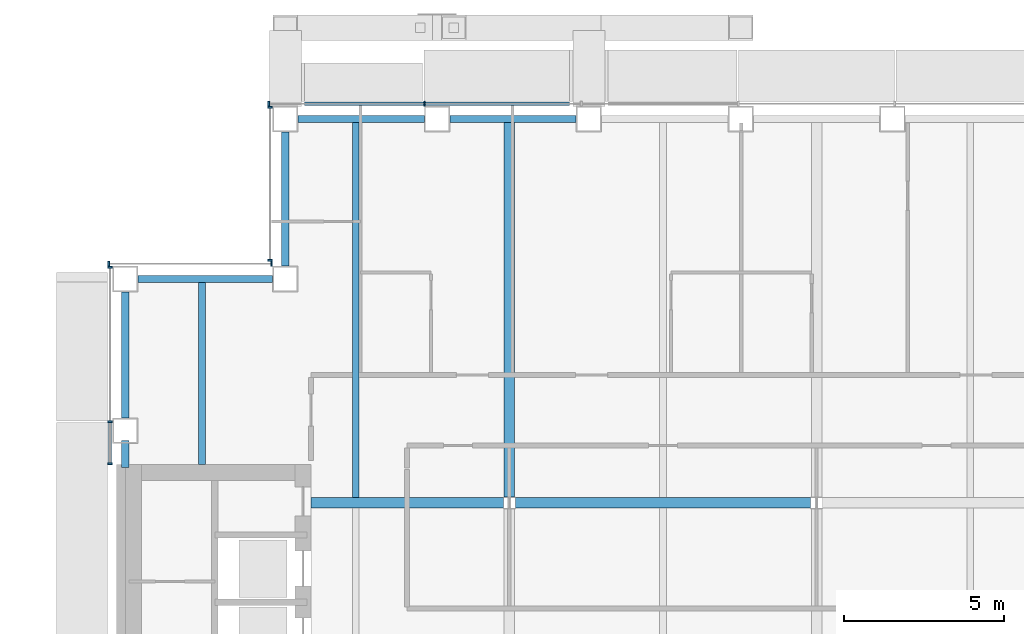
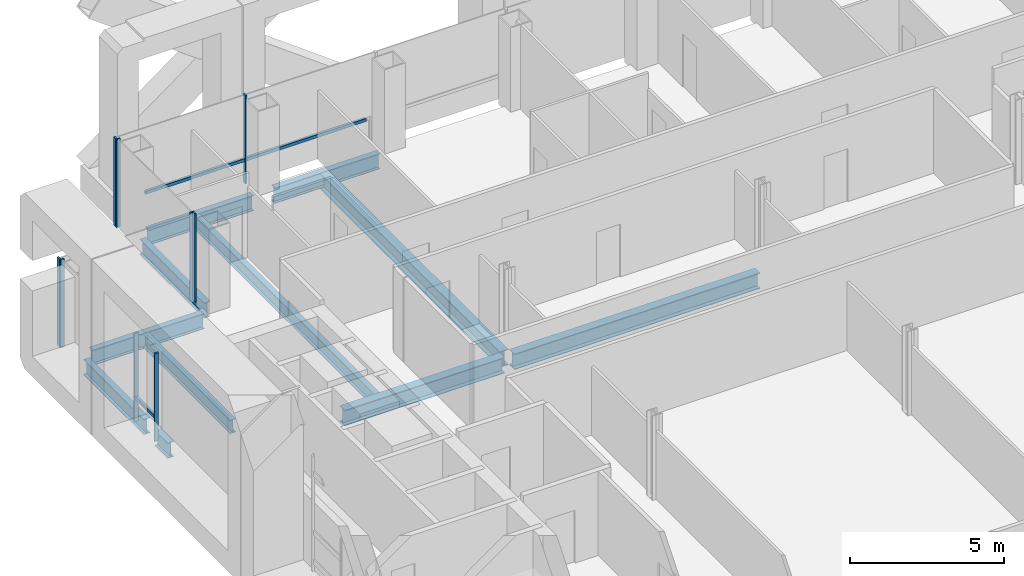
# One storey, part 8 of 22: 12 members, 11 beams, 4 elements without a shape of their own.
"""IFC4 building model written with IfcOpenShell, lengths in metres."""

import ifcopenshell
import ifcopenshell.guid

model = None  # the IFC model being written
_history = None  # IfcOwnerHistory: only IFC2X3 demands one
_inside = {}  # id of a spatial element -> (the spatial element, [elements in it])
_under = {}  # id of a project, library or spatial element -> (it, [spatial elements below it])
_declared = {}  # id of a project -> (the project, [libraries it declares])
_typed = {}  # id of a type object -> (the type object, [elements of that type])
_made_of = {}  # id of a material, layer set ... -> (it, [elements and type objects made of it])


def new_model(schema):
    """Start an empty IFC model of exactly this schema.

    Asked for "IFC4X3", IfcOpenShell would pick the latest addendum, in which some entities
    have other attributes; the version numbers below select the first issue.
    IFC2X3 requires an IfcOwnerHistory on every rooted entity: one is made here for all.
    """
    global model, _history
    if schema == "IFC4X3":
        model = ifcopenshell.file(schema_version=(4, 3, 0, 0))
    else:
        model = ifcopenshell.file(schema=schema)
    _inside.clear()
    _under.clear()
    _declared.clear()
    _typed.clear()
    _made_of.clear()
    _history = None
    if model.schema == "IFC2X3":
        org = make("IfcOrganization", Name="unknown")
        user = make(
            "IfcPersonAndOrganization",
            ThePerson=make("IfcPerson", FamilyName="unknown"),
            TheOrganization=org,
        )
        app = make(
            "IfcApplication",
            ApplicationDeveloper=org,
            Version="unknown",
            ApplicationFullName="unknown",
            ApplicationIdentifier="unknown",
        )
        _history = make(
            "IfcOwnerHistory",
            OwningUser=user,
            OwningApplication=app,
            ChangeAction="ADDED",
            CreationDate=0,
        )
    return model


def make(cls, **values):
    """One entity of the class cls with the attributes given. An attribute that is None is left unset."""
    return model.create_entity(
        cls, **{name: value for name, value in values.items() if value is not None}
    )


def rooted(cls, **values):
    """An entity with a GlobalId (a new one), such as an element, a storey or a relation."""
    return make(cls, GlobalId=ifcopenshell.guid.new(), OwnerHistory=_history, **values)


def si_unit(unit_type, name, prefix=None):
    """IfcSIUnit, for example si_unit("LENGTHUNIT", "METRE", prefix="MILLI")."""
    return make("IfcSIUnit", UnitType=unit_type, Prefix=prefix, Name=name)


def assignment(units):
    """IfcUnitAssignment: the units of a project."""
    return None if units is None else make("IfcUnitAssignment", Units=units)


def point(xyz):
    """IfcCartesianPoint."""
    return None if xyz is None else make("IfcCartesianPoint", Coordinates=xyz)


def direction(xyz):
    """IfcDirection."""
    return None if xyz is None else make("IfcDirection", DirectionRatios=xyz)


def frame(location, z_axis=None, x_axis=None):
    """IfcAxis2Placement3D, a coordinate frame: its origin and axes. An axis left out is left unset."""
    return make(
        "IfcAxis2Placement3D",
        Location=point(location),
        Axis=direction(z_axis),
        RefDirection=direction(x_axis),
    )


def frame_2d(location, x_axis=None):
    """IfcAxis2Placement2D, a coordinate frame in the plane: its origin and x axis."""
    return make(
        "IfcAxis2Placement2D", Location=point(location), RefDirection=direction(x_axis)
    )


def origin():
    """The frame at (0, 0, 0) with its axes left unset."""
    return frame((0.0, 0.0, 0.0))


def origin_2d():
    """The frame at (0, 0) in the plane with its x axis left unset."""
    return frame_2d((0.0, 0.0))


def place(relative_to, where):
    """IfcLocalPlacement: puts the frame where relative to a parent placement (None: the world)."""
    return make(
        "IfcLocalPlacement", PlacementRelTo=relative_to, RelativePlacement=where
    )


def context(
    kind, dimensions, precision=None, world=None, true_north=None, identifier=None
):
    """IfcGeometricRepresentationContext, for example the 3D "Model" context."""
    return make(
        "IfcGeometricRepresentationContext",
        ContextIdentifier=identifier,
        ContextType=kind,
        CoordinateSpaceDimension=dimensions,
        Precision=precision,
        WorldCoordinateSystem=world,
        TrueNorth=true_north,
    )


def subcontext(parent, identifier, kind, view, scale=None):
    """IfcGeometricRepresentationSubContext, for example "Body" below "Model"."""
    return make(
        "IfcGeometricRepresentationSubContext",
        ContextIdentifier=identifier,
        ContextType=kind,
        ParentContext=parent,
        TargetScale=scale,
        TargetView=view,
    )


def project(units=None, contexts=None):
    """IfcProject with its units and contexts."""
    return rooted(
        "IfcProject",
        Name="project",
        RepresentationContexts=contexts,
        UnitsInContext=assignment(units),
    )


def spatial(cls, under=None, at=None, **own):
    """A site, building, storey or space (cls), placed at a placement, below another one or the project."""
    s = rooted(cls, ObjectPlacement=at, **own)
    if under is not None:
        _under.setdefault(under.id(), (under, []))[1].append(s)
    return s


def profile(cls, at=None, kind="AREA", **sizes):
    """A parametric profile (cls). Its sizes go by their IFC names, for example OverallWidth=200.0."""
    return make(cls, ProfileType=kind, Position=at, **sizes)


def rectangle(**sizes):
    """IfcRectangleProfileDef."""
    return profile("IfcRectangleProfileDef", **sizes)


def i_section(**sizes):
    """IfcIShapeProfileDef."""
    return profile("IfcIShapeProfileDef", **sizes)


def extrude(swept, where, along, depth):
    """IfcExtrudedAreaSolid: the profile swept, set in the frame where, extruded along a direction by depth."""
    return make(
        "IfcExtrudedAreaSolid",
        SweptArea=swept,
        Position=where,
        ExtrudedDirection=direction(along),
        Depth=depth,
    )


def shape(context_of_items, identifier, shape_type, items):
    """IfcShapeRepresentation: the items that make up one representation, for example the "Body"."""
    return make(
        "IfcShapeRepresentation",
        ContextOfItems=context_of_items,
        RepresentationIdentifier=identifier,
        RepresentationType=shape_type,
        Items=items,
    )


def material(Name=None, Category=None):
    """IfcMaterial."""
    return make("IfcMaterial", Name=Name, Category=Category)


def material_profile(
    of_material, cross_section, Name=None, Category=None, Priority=None
):
    """IfcMaterialProfile: a cross section and its material."""
    return make(
        "IfcMaterialProfile",
        Name=Name,
        Material=of_material,
        Profile=cross_section,
        Priority=Priority,
        Category=Category,
    )


def profile_set(profiles, Name=None, composite=None):
    """IfcMaterialProfileSet."""
    return make(
        "IfcMaterialProfileSet",
        Name=Name,
        MaterialProfiles=profiles,
        CompositeProfile=composite,
    )


def made_of(thing, what):
    """Note that an element or type object is made of a material, layer set ...; save() writes the relation."""
    if what is not None:
        _made_of.setdefault(what.id(), (what, []))[1].append(thing)
    return thing


def type_object(cls, material=None, **own):
    """A type object (cls), such as IfcWallType, which elements share."""
    return made_of(rooted(cls, **own), material)


def element(
    cls,
    number,
    at=None,
    inside=None,
    cuts=None,
    type_object=None,
    material=None,
    context=None,
    identifier="Body",
    shape_type=None,
    held_by="IfcProductDefinitionShape",
    body=None,
    shapes=None,
    **own,
):
    """One element of the class cls, such as IfcWall. Its Tag is "e" and its number.

    at: its placement. inside: the storey or other place that contains it. cuts: it is an
    opening in that element (IfcRelVoidsElement). A single representation is given by context,
    identifier, shape_type and body (its items); several are given by shapes. held_by: the class
    of the entity that holds the representations. save() writes the other relations.
    """
    e = rooted(cls, Tag="e%d" % number, ObjectPlacement=at, **own)
    if body is not None:
        shapes = [shape(context, identifier, shape_type, body)]
    if shapes is not None:
        e.Representation = make(held_by, Representations=shapes)
    if inside is not None:
        _inside.setdefault(inside.id(), (inside, []))[1].append(e)
    if cuts is not None:
        rooted(
            "IfcRelVoidsElement", RelatingBuildingElement=cuts, RelatedOpeningElement=e
        )
    if type_object is not None:
        _typed.setdefault(type_object.id(), (type_object, []))[1].append(e)
    return made_of(e, material)


def aggregate(whole, parts):
    """IfcRelAggregates: a whole, such as a stair, and the parts it consists of."""
    return rooted("IfcRelAggregates", RelatingObject=whole, RelatedObjects=parts)


def save(model, path):
    """Write the relations noted so far, then the file.

    IfcRelAggregates (storeys below a building ...), IfcRelContainedInSpatialStructure (elements
    in a storey), IfcRelDefinesByType, IfcRelAssociatesMaterial and IfcRelDeclares: one each for
    every whole, place, type object, material and project.
    """
    for whole, parts in _under.values():
        aggregate(whole, parts)
    for where, things in _inside.values():
        rooted(
            "IfcRelContainedInSpatialStructure",
            RelatedElements=things,
            RelatingStructure=where,
        )
    for kind, things in _typed.values():
        rooted("IfcRelDefinesByType", RelatedObjects=things, RelatingType=kind)
    for what, things in _made_of.values():
        rooted("IfcRelAssociatesMaterial", RelatedObjects=things, RelatingMaterial=what)
    for by, libraries in _declared.values():
        rooted("IfcRelDeclares", RelatingContext=by, RelatedDefinitions=libraries)
    model.write(path)


model = new_model("IFC4")

# Units and contexts
model_context = context("Model", 3, precision=1e-05, world=origin(), true_north=direction((0.0, 1.0)))
body_context = subcontext(model_context, "Body", "Model", "MODEL_VIEW")
ifc_project = project(units=[si_unit("LENGTHUNIT", "METRE"), si_unit("AREAUNIT", "SQUARE_METRE"), si_unit("VOLUMEUNIT", "CUBIC_METRE"), si_unit("PLANEANGLEUNIT", "RADIAN"), si_unit("MASSUNIT", "GRAM", prefix="KILO")], contexts=[model_context])

# Site, building, storey
site_placement = place(None, origin())
site = spatial("IfcSite", under=ifc_project, at=site_placement, CompositionType="ELEMENT")
building_placement = place(site_placement, origin())
building = spatial("IfcBuilding", under=site, at=building_placement, Name="Cobrizo Arcos Hotel Tower", CompositionType="ELEMENT")
storey_placement = place(building_placement, frame((0.0, 0.0, 176.0)))
storey = spatial("IfcBuildingStorey", under=building, at=storey_placement, Name="L45", CompositionType="ELEMENT", Elevation=176.0)

# Curtain wall, members
ifc_material_1 = material(Name="Aluminium 6063-T6 anodised bronze", Category="aluminium")
curtain_wall_type = type_object("IfcCurtainWallType", Name="CW-A guest facade", PredefinedType="NOTDEFINED", material=ifc_material_1)
curtain_wall_1_placement = place(storey_placement, origin())
curtain_wall_1 = element("IfcCurtainWall", 1, at=curtain_wall_1_placement, inside=storey, type_object=curtain_wall_type, Name="CW-A L45 N face", PredefinedType="NOTDEFINED")
ifc_material_profile_1 = material_profile(ifc_material_1, rectangle(XDim=0.14990234375, YDim=0.06005859375, at=origin_2d()), Name="CW-A mullion 150x60")
ifc_profile_set_1 = profile_set([ifc_material_profile_1], Name="Aluminium 6063-T6 anodised bronze")
member_type_1 = type_object("IfcMemberType", Name="CW-A mullion 150x60", PredefinedType="MULLION", material=ifc_profile_set_1)
member_1_placement = place(storey_placement, frame((-12.25, 22.074951171875, 0.0), z_axis=(0.0, 0.0, 1.0), x_axis=(0.0, 1.0, 0.0)))
member_1 = element("IfcMember", 2, at=member_1_placement, type_object=member_type_1, Name="CW-A mullion 7", PredefinedType="MULLION", context=body_context, shape_type="SweptSolid", body=[
    extrude(rectangle(XDim=0.14990234375, YDim=0.06005859375, at=origin_2d()), origin(), (0.0, 0.0, 1.0), 3.5),
])
member_2_placement = place(storey_placement, frame((-17.1201171875, 22.074951171875, 0.0), z_axis=(0.0, 0.0, 1.0), x_axis=(0.0, 1.0, 0.0)))
member_2 = element("IfcMember", 3, at=member_2_placement, type_object=member_type_1, Name="CW-A mullion 8", PredefinedType="MULLION", context=body_context, shape_type="SweptSolid", body=[
    extrude(rectangle(XDim=0.14990234375, YDim=0.06005859375, at=origin_2d()), origin(), (0.0, 0.0, 1.0), 3.5),
])

curtain_wall_2_placement = place(storey_placement, origin())
curtain_wall_2 = element("IfcCurtainWall", 4, at=curtain_wall_2_placement, inside=storey, type_object=curtain_wall_type, Name="CW-A L45 W face", PredefinedType="NOTDEFINED")
member_3_placement = place(storey_placement, frame((-17.074951171875, 21.969970703125, 0.0), z_axis=(0.0, 0.0, 1.0), x_axis=(-1.0, 0.0, 0.0)))
member_3 = element("IfcMember", 5, at=member_3_placement, type_object=member_type_1, Name="CW-A mullion 1", PredefinedType="MULLION", context=body_context, shape_type="SweptSolid", body=[
    extrude(rectangle(XDim=0.14990234375, YDim=0.06005859375, at=origin_2d()), origin(), (0.0, 0.0, 1.0), 3.5),
])
member_4_placement = place(storey_placement, frame((-17.074951171875, 17.179931640625, 0.0), z_axis=(0.0, 0.0, 1.0), x_axis=(-1.0, 0.0, 0.0)))
member_4 = element("IfcMember", 6, at=member_4_placement, type_object=member_type_1, Name="CW-A mullion 2", PredefinedType="MULLION", context=body_context, shape_type="SweptSolid", body=[
    extrude(rectangle(XDim=0.14990234375, YDim=0.06005859375, at=origin_2d()), origin(), (0.0, 0.0, 1.0), 3.5),
])
aggregate(curtain_wall_2, [member_3, member_4])

curtain_wall_3_placement = place(storey_placement, origin())
curtain_wall_3 = element("IfcCurtainWall", 7, at=curtain_wall_3_placement, inside=storey, type_object=curtain_wall_type, Name="CW-A L45 N face", PredefinedType="NOTDEFINED")
member_5_placement = place(storey_placement, frame((-17.030029296875, 17.074951171875, 0.0), z_axis=(0.0, 0.0, 1.0), x_axis=(0.0, 1.0, 0.0)))
member_5 = element("IfcMember", 8, at=member_5_placement, type_object=member_type_1, Name="CW-A mullion 1", PredefinedType="MULLION", context=body_context, shape_type="SweptSolid", body=[
    extrude(rectangle(XDim=0.14990234375, YDim=0.06005859375, at=origin_2d()), origin(), (0.0, 0.0, 1.0), 3.5),
])
member_6_placement = place(storey_placement, frame((-22.1201171875, 17.074951171875, 0.0), z_axis=(0.0, 0.0, 1.0), x_axis=(0.0, 1.0, 0.0)))
member_6 = element("IfcMember", 9, at=member_6_placement, type_object=member_type_1, Name="CW-A mullion 2", PredefinedType="MULLION", context=body_context, shape_type="SweptSolid", body=[
    extrude(rectangle(XDim=0.14990234375, YDim=0.06005859375, at=origin_2d()), origin(), (0.0, 0.0, 1.0), 3.5),
])
aggregate(curtain_wall_3, [member_5, member_6])

curtain_wall_4_placement = place(storey_placement, origin())
curtain_wall_4 = element("IfcCurtainWall", 10, at=curtain_wall_4_placement, inside=storey, type_object=curtain_wall_type, Name="CW-A L45 W face", PredefinedType="NOTDEFINED")
member_7_placement = place(storey_placement, frame((-22.074951171875, 16.969970703125, 0.0), z_axis=(0.0, 0.0, 1.0), x_axis=(-1.0, 0.0, 0.0)))
member_7 = element("IfcMember", 11, at=member_7_placement, type_object=member_type_1, Name="CW-A mullion 1", PredefinedType="MULLION", context=body_context, shape_type="SweptSolid", body=[
    extrude(rectangle(XDim=0.14990234375, YDim=0.06005859375, at=origin_2d()), origin(), (0.0, 0.0, 1.0), 3.5),
])
member_8_placement = place(storey_placement, frame((-22.074951171875, 12.142822265625, 0.0), z_axis=(0.0, 0.0, 1.0), x_axis=(-1.0, 0.0, 0.0)))
member_8 = element("IfcMember", 12, at=member_8_placement, type_object=member_type_1, Name="CW-A mullion 2", PredefinedType="MULLION", context=body_context, shape_type="SweptSolid", body=[
    extrude(rectangle(XDim=0.14990234375, YDim=0.06005859375, at=origin_2d()), origin(), (0.0, 0.0, 1.0), 3.5),
])
member_9_placement = place(storey_placement, frame((-22.074951171875, 10.830078125, 0.0), z_axis=(0.0, 0.0, 1.0), x_axis=(-1.0, 0.0, 0.0)))
member_9 = element("IfcMember", 13, at=member_9_placement, type_object=member_type_1, Name="CW-A mullion 3", PredefinedType="MULLION", context=body_context, shape_type="SweptSolid", body=[
    extrude(rectangle(XDim=0.14990234375, YDim=0.06005859375, at=origin_2d()), origin(), (0.0, 0.0, 1.0), 3.5),
])

# Member
ifc_material_profile_2 = material_profile(ifc_material_1, rectangle(XDim=0.10009765625, YDim=0.1201171875, at=origin_2d()), Name="CW-A transom 120x100")
ifc_profile_set_2 = profile_set([ifc_material_profile_2], Name="Aluminium 6063-T6 anodised bronze")
member_type_2 = type_object("IfcMemberType", Name="CW-A transom 120x100", PredefinedType="USERDEFINED", material=ifc_profile_set_2)
member_10_placement = place(storey_placement, frame((-7.71435546875, 22.074951171875, 0.929931640625), z_axis=(-1.0, 0.0, 0.0), x_axis=(0.0, -1.0, 0.0)))
member_10 = element("IfcMember", 14, at=member_10_placement, type_object=member_type_2, Name="CW-A transom 1596", ObjectType="TRANSOM", PredefinedType="USERDEFINED", context=body_context, shape_type="SweptSolid", body=[
    extrude(rectangle(XDim=0.10009765625, YDim=0.1201171875, at=origin_2d()), origin(), (0.0, 0.0, 1.0), 4.505615234375),
])

member_11_placement = place(storey_placement, frame((-12.280029296875, 22.074951171875, 0.929931640625), z_axis=(-1.0, 0.0, 0.0), x_axis=(0.0, -1.0, 0.0)))
member_11 = element("IfcMember", 15, at=member_11_placement, type_object=member_type_2, Name="CW-A transom 1597", ObjectType="TRANSOM", PredefinedType="USERDEFINED", context=body_context, shape_type="SweptSolid", body=[
    extrude(rectangle(XDim=0.10009765625, YDim=0.1201171875, at=origin_2d()), origin(), (0.0, 0.0, 1.0), 3.719970703125),
])

aggregate(curtain_wall_1, [member_1, member_2, member_10, member_11])

member_12_placement = place(storey_placement, frame((-22.074951171875, 12.11279296875, 0.929931640625), z_axis=(0.0, -1.0, 0.0), x_axis=(1.0, 0.0, 0.0)))
member_12 = element("IfcMember", 16, at=member_12_placement, type_object=member_type_2, Name="CW-A transom 1601", ObjectType="TRANSOM", PredefinedType="USERDEFINED", context=body_context, shape_type="SweptSolid", body=[
    extrude(rectangle(XDim=0.10009765625, YDim=0.1201171875, at=origin_2d()), origin(), (0.0, 0.0, 1.0), 1.252685546875),
])

aggregate(curtain_wall_4, [member_7, member_8, member_9, member_12])

# Beams
ifc_material_2 = material(Name="Steel ASTM A992 Grade 50", Category="steel")
ifc_material_profile_3 = material_profile(ifc_material_2, i_section(OverallWidth=0.209228515625, OverallDepth=0.533447265625, WebThickness=0.01025390625, FlangeThickness=0.015625, at=origin_2d()), Name="W21X62")
ifc_profile_set_3 = profile_set([ifc_material_profile_3], Name="Steel ASTM A992 Grade 50")
beam_type_1 = type_object("IfcBeamType", Name="W21X62 joist", PredefinedType="JOIST", material=ifc_profile_set_3)
beam_1_placement = place(storey_placement, frame((-19.199951171875, 10.81005859375, -0.416748046875), z_axis=(0.0, 1.0, 0.0), x_axis=(-1.0, 0.0, 0.0)))
element("IfcBeam", 17, at=beam_1_placement, inside=storey, type_object=beam_type_1, Name="Floor joist J1, L45, no. 002", PredefinedType="JOIST", context=body_context, shape_type="SweptSolid", body=[
    extrude(i_section(OverallWidth=0.209228515625, OverallDepth=0.533447265625, WebThickness=0.01025390625, FlangeThickness=0.015625, at=origin_2d()), origin(), (0.0, 0.0, 1.0), 5.699951171875),
])
beam_2_placement = place(storey_placement, frame((-14.39990234375, 9.763916015625, -0.416748046875), z_axis=(0.0, 1.0, 0.0), x_axis=(-1.0, 0.0, 0.0)))
element("IfcBeam", 18, at=beam_2_placement, inside=storey, type_object=beam_type_1, Name="Floor joist J1, L45, no. 006", PredefinedType="JOIST", context=body_context, shape_type="SweptSolid", body=[
    extrude(i_section(OverallWidth=0.209228515625, OverallDepth=0.533447265625, WebThickness=0.01025390625, FlangeThickness=0.015625, at=origin_2d()), origin(), (0.0, 0.0, 1.0), 11.74609375),
])
ifc_material_profile_4 = material_profile(ifc_material_2, i_section(OverallWidth=0.32763671875, OverallDepth=0.622314453125, WebThickness=0.015380859375, FlangeThickness=0.0244140625, at=origin_2d()), Name="W24X131")
ifc_profile_set_4 = profile_set([ifc_material_profile_4], Name="Steel ASTM A992 Grade 50")
beam_type_2 = type_object("IfcBeamType", Name="W24X131 girder", PredefinedType="BEAM", material=ifc_profile_set_4)
beam_3_placement = place(storey_placement, frame((-15.7900390625, 9.60009765625, -0.461181640625), z_axis=(1.0, 0.0, 0.0), x_axis=(0.0, 1.0, 0.0)))
element("IfcBeam", 19, at=beam_3_placement, inside=storey, type_object=beam_type_2, Name="Floor girder G1, L45, no. 009", PredefinedType="BEAM", context=body_context, shape_type="SweptSolid", body=[
    extrude(i_section(OverallWidth=0.32763671875, OverallDepth=0.622314453125, WebThickness=0.015380859375, FlangeThickness=0.0244140625, at=origin_2d()), origin(), (0.0, 0.0, 1.0), 6.00341796875),
])
beam_4_placement = place(storey_placement, frame((-9.413330078125, 9.60009765625, -0.461181640625), z_axis=(1.0, 0.0, 0.0), x_axis=(0.0, 1.0, 0.0)))
element("IfcBeam", 20, at=beam_4_placement, inside=storey, type_object=beam_type_2, Name="Floor girder G1, L45, no. 010", PredefinedType="BEAM", context=body_context, shape_type="SweptSolid", body=[
    extrude(i_section(OverallWidth=0.32763671875, OverallDepth=0.622314453125, WebThickness=0.015380859375, FlangeThickness=0.0244140625, at=origin_2d()), origin(), (0.0, 0.0, 1.0), 9.2265625),
])
beam_5_placement = place(storey_placement, frame((-9.60009765625, 9.78662109375, -0.461181640625), z_axis=(0.0, 1.0, 0.0), x_axis=(-1.0, 0.0, 0.0)))
element("IfcBeam", 21, at=beam_5_placement, inside=storey, type_object=beam_type_2, Name="Floor girder G1, L45, no. 016", PredefinedType="BEAM", context=body_context, shape_type="SweptSolid", body=[
    extrude(i_section(OverallWidth=0.32763671875, OverallDepth=0.622314453125, WebThickness=0.015380859375, FlangeThickness=0.0244140625, at=origin_2d()), origin(), (0.0, 0.0, 1.0), 11.723388671875),
])
ifc_material_profile_5 = material_profile(ifc_material_2, i_section(OverallWidth=0.228271484375, OverallDepth=0.607177734375, WebThickness=0.01123046875, FlangeThickness=0.017333984375, at=origin_2d()), Name="W24X76")
ifc_profile_set_5 = profile_set([ifc_material_profile_5], Name="Steel ASTM A992 Grade 50")
beam_type_3 = type_object("IfcBeamType", Name="W24X76 spandrel", PredefinedType="SPANDREL", material=ifc_profile_set_5)
beam_6_placement = place(storey_placement, frame((-7.513916015625, 21.60009765625, -0.45361328125), z_axis=(-1.0, 0.0, 0.0), x_axis=(0.0, -1.0, 0.0)))
element("IfcBeam", 22, at=beam_6_placement, inside=storey, type_object=beam_type_3, Name="Spandrel beam W24X76, L45, no. 021", PredefinedType="SPANDREL", context=body_context, shape_type="SweptSolid", body=[
    extrude(i_section(OverallWidth=0.228271484375, OverallDepth=0.607177734375, WebThickness=0.01123046875, FlangeThickness=0.017333984375, at=origin_2d()), origin(), (0.0, 0.0, 1.0), 3.943115234375),
])
beam_7_placement = place(storey_placement, frame((-12.257080078125, 21.60009765625, -0.45361328125), z_axis=(-1.0, 0.0, 0.0), x_axis=(0.0, -1.0, 0.0)))
element("IfcBeam", 23, at=beam_7_placement, inside=storey, type_object=beam_type_3, Name="Spandrel beam W24X76, L45, no. 022", PredefinedType="SPANDREL", context=body_context, shape_type="SweptSolid", body=[
    extrude(i_section(OverallWidth=0.228271484375, OverallDepth=0.607177734375, WebThickness=0.01123046875, FlangeThickness=0.017333984375, at=origin_2d()), origin(), (0.0, 0.0, 1.0), 3.94287109375),
])
for number, where, z_axis, x_axis, name in (
    (24, (-16.60009765625, 21.199951171875, -0.45361328125), (0.0, -1.0, 0.0), (1.0, 0.0, 0.0), "Spandrel beam W24X76, L45, no. 023"),
    (25, (-17.0, 16.60009765625, -0.45361328125), (-1.0, 0.0, 0.0), (0.0, -1.0, 0.0), "Spandrel beam W24X76, L45, no. 024"),
):
    element("IfcBeam", number, at=place(storey_placement, frame(where, z_axis=z_axis, x_axis=x_axis)), inside=storey, type_object=beam_type_3, Name=name, PredefinedType="SPANDREL", context=body_context, shape_type="SweptSolid", body=[
        extrude(i_section(OverallWidth=0.228271484375, OverallDepth=0.607177734375, WebThickness=0.01123046875, FlangeThickness=0.017333984375, at=origin_2d()), origin(), (0.0, 0.0, 1.0), 4.199951171875),
    ])
beam_8_placement = place(storey_placement, frame((-21.60009765625, 16.199951171875, -0.45361328125), z_axis=(0.0, -1.0, 0.0), x_axis=(1.0, 0.0, 0.0)))
element("IfcBeam", 26, at=beam_8_placement, inside=storey, type_object=beam_type_3, Name="Spandrel beam W24X76, L45, no. 025", PredefinedType="SPANDREL", context=body_context, shape_type="SweptSolid", body=[
    extrude(i_section(OverallWidth=0.228271484375, OverallDepth=0.607177734375, WebThickness=0.01123046875, FlangeThickness=0.017333984375, at=origin_2d()), origin(), (0.0, 0.0, 1.0), 3.94287109375),
])
beam_9_placement = place(storey_placement, frame((-21.60009765625, 11.556884765625, -0.45361328125), z_axis=(0.0, -1.0, 0.0), x_axis=(1.0, 0.0, 0.0)))
element("IfcBeam", 27, at=beam_9_placement, inside=storey, type_object=beam_type_3, Name="Spandrel beam W24X76, L45, no. 026", PredefinedType="SPANDREL", context=body_context, shape_type="SweptSolid", body=[
    extrude(i_section(OverallWidth=0.228271484375, OverallDepth=0.607177734375, WebThickness=0.01123046875, FlangeThickness=0.017333984375, at=origin_2d()), origin(), (0.0, 0.0, 1.0), 0.846923828125),
])

save(model, "model.ifc")
